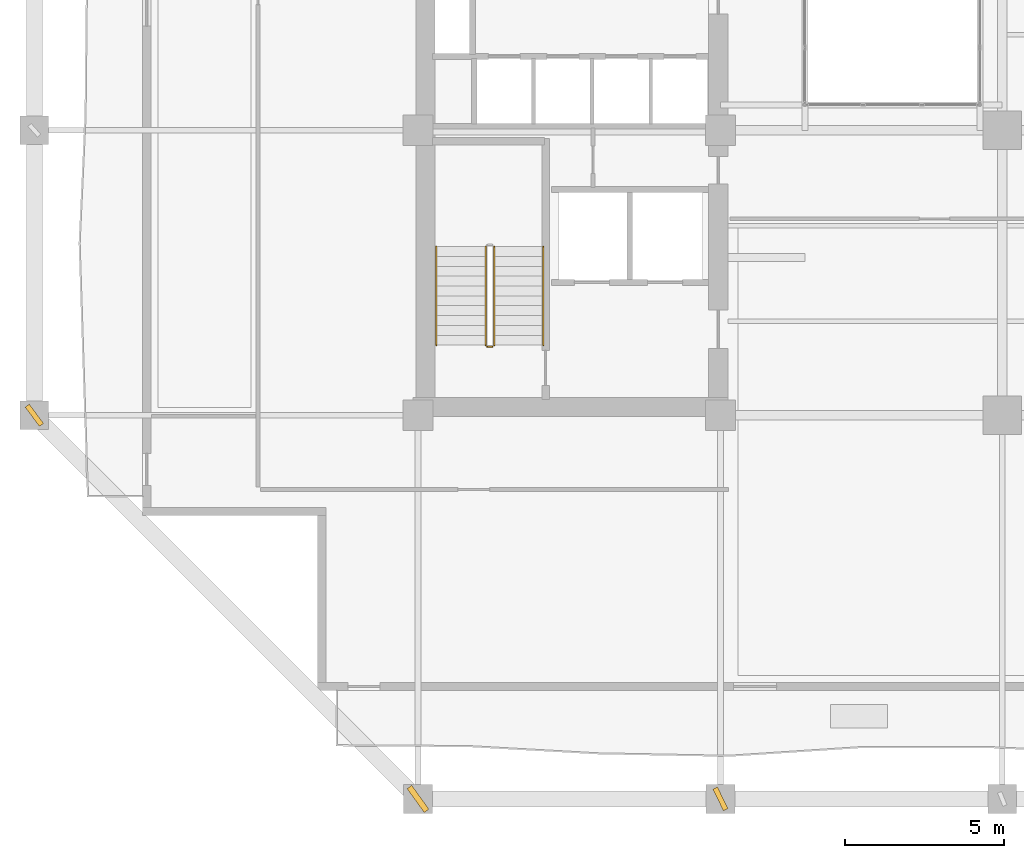
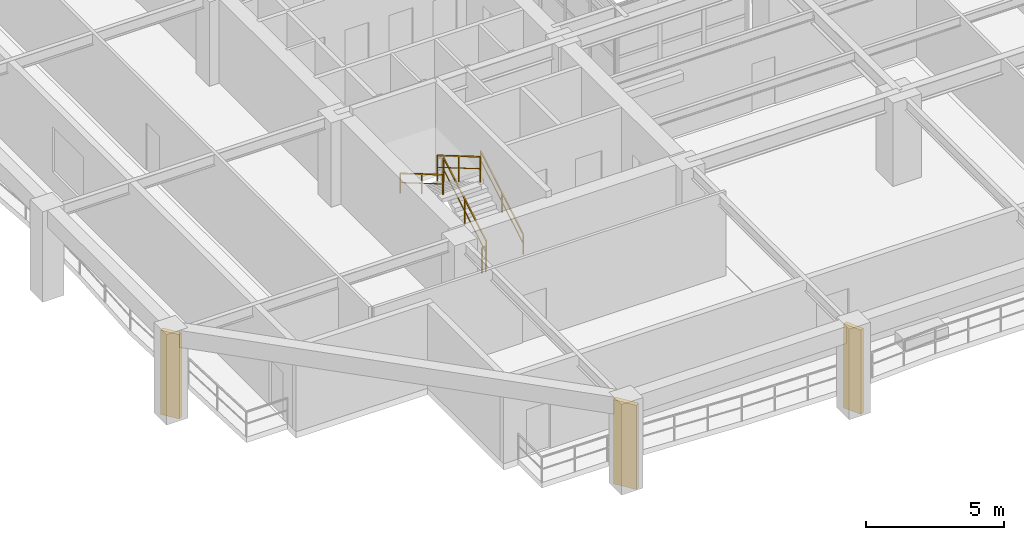
# One storey, part 10 of 17: 5 railings, 3 shading devices.
"""IFC4 building model written with IfcOpenShell, lengths in metres."""

from ifc_helpers import new_model, si_unit, direction, frame, origin, origin_2d, place, context, subcontext, project, spatial, rectangle, extrude, material, type_object, element, save


model = new_model("IFC4")

# Units and contexts
model_context = context("Model", 3, precision=1e-05, world=origin(), true_north=direction((0.0, 1.0)))
body_context = subcontext(model_context, "Body", "Model", "MODEL_VIEW")
ifc_project = project(units=[si_unit("LENGTHUNIT", "METRE"), si_unit("AREAUNIT", "SQUARE_METRE"), si_unit("VOLUMEUNIT", "CUBIC_METRE"), si_unit("PLANEANGLEUNIT", "RADIAN"), si_unit("MASSUNIT", "GRAM", prefix="KILO")], contexts=[model_context])

# Site, building, storey
site_placement = place(None, origin())
site = spatial("IfcSite", under=ifc_project, at=site_placement, CompositionType="ELEMENT")
building_placement = place(site_placement, origin())
building = spatial("IfcBuilding", under=site, at=building_placement, Name="Kundavana Baori Tower", CompositionType="ELEMENT")
storey_placement = place(building_placement, frame((0.0, 0.0, 26.0)))
storey = spatial("IfcBuildingStorey", under=building, at=storey_placement, Name="L05", CompositionType="ELEMENT", Elevation=26.0)

# Railings
ifc_material_1 = material(Name="Architectural Patinated Bronze Metalwork")
railing_type_1 = type_object("IfcRailingType", Name="RL-GRD-1150", PredefinedType="GUARDRAIL", material=ifc_material_1)
railing_1_placement = place(storey_placement, frame((17.840087890625, 17.449951171875, 0.181884765625)))
element("IfcRailing", 1, at=railing_1_placement, inside=storey, type_object=railing_type_1, Name="L05 ST1 stair guard 1", PredefinedType="GUARDRAIL", context=body_context, shape_type="SweptSolid", body=[
    extrude(rectangle(XDim=0.048095703125, YDim=0.048095703125, at=origin_2d()), frame((0.0, 0.0, 1.1259765625), z_axis=(0.0, 0.862598821094, 0.505888598258), x_axis=(-1.0, 0.0, 0.0)), (0.0, 0.0, 1.0), 3.593994140625),
    extrude(rectangle(XDim=0.03125, YDim=0.03125, at=origin_2d()), frame((0.0, 0.0, 0.597900390625), z_axis=(0.0, 0.862598821094, 0.505888598258), x_axis=(-1.0, 0.0, 0.0)), (0.0, 0.0, 1.0), 3.593994140625),
    extrude(rectangle(XDim=0.0419921875, YDim=0.0419921875, at=origin_2d()), origin(), (0.0, 0.0, 1.0), 1.101806640625),
    extrude(rectangle(XDim=0.0419921875, YDim=0.0419921875, at=origin_2d()), frame((0.0, 1.550048828125, 0.9091796875)), (0.0, 0.0, 1.0), 1.101806640625),
    extrude(rectangle(XDim=0.0419921875, YDim=0.0419921875, at=origin_2d()), frame((0.0, 3.10009765625, 1.818115234375)), (0.0, 0.0, 1.0), 1.101806640625),
])
railing_2_placement = place(storey_placement, frame((17.580078125, 20.550048828125, 2.181884765625)))
element("IfcRailing", 2, at=railing_2_placement, inside=storey, type_object=railing_type_1, Name="L05 ST1 stair guard 3", PredefinedType="GUARDRAIL", context=body_context, shape_type="SweptSolid", body=[
    extrude(rectangle(XDim=0.048095703125, YDim=0.048095703125, at=origin_2d()), frame((0.0, 0.0, 1.1259765625), z_axis=(0.0, -0.862598821094, 0.505888598258), x_axis=(1.0, 0.0, 0.0)), (0.0, 0.0, 1.0), 3.593994140625),
    extrude(rectangle(XDim=0.03125, YDim=0.03125, at=origin_2d()), frame((0.0, 0.0, 0.597900390625), z_axis=(0.0, -0.862598821094, 0.505888598258), x_axis=(1.0, 0.0, 0.0)), (0.0, 0.0, 1.0), 3.593994140625),
    extrude(rectangle(XDim=0.0419921875, YDim=0.0419921875, at=origin_2d()), origin(), (0.0, 0.0, 1.0), 1.101806640625),
    extrude(rectangle(XDim=0.0419921875, YDim=0.0419921875, at=origin_2d()), frame((0.0, -1.550048828125, 0.9091796875)), (0.0, 0.0, 1.0), 1.101806640625),
    extrude(rectangle(XDim=0.0419921875, YDim=0.0419921875, at=origin_2d()), frame((0.0, -3.10009765625, 1.818115234375)), (0.0, 0.0, 1.0), 1.101806640625),
])
railing_3_placement = place(storey_placement, frame((17.7900390625, 17.39990234375, 0.0)))
element("IfcRailing", 3, at=railing_3_placement, inside=storey, type_object=railing_type_1, Name="L05 ST1 stair guard 4", PredefinedType="GUARDRAIL", context=body_context, shape_type="SweptSolid", body=[
    extrude(rectangle(XDim=0.048095703125, YDim=0.048095703125, at=origin_2d()), frame((0.0, 0.0, 1.1259765625), z_axis=(-1.0, 0.0, 0.0), x_axis=(0.0, -1.0, 0.0)), (0.0, 0.0, 1.0), 0.16015625),
    extrude(rectangle(XDim=0.03125, YDim=0.03125, at=origin_2d()), frame((0.0, 0.0, 0.597900390625), z_axis=(-1.0, 0.0, 0.0), x_axis=(0.0, -1.0, 0.0)), (0.0, 0.0, 1.0), 0.16015625),
    extrude(rectangle(XDim=0.0419921875, YDim=0.0419921875, at=origin_2d()), origin(), (0.0, 0.0, 1.0), 1.101806640625),
    extrude(rectangle(XDim=0.0419921875, YDim=0.0419921875, at=origin_2d()), frame((-0.16015625, 0.0, 0.0)), (0.0, 0.0, 1.0), 1.101806640625),
])
ifc_material_2 = material(Name="Architectural Patinated Bronze Metalwork")
railing_type_2 = type_object("IfcRailingType", Name="RL-HND-920", PredefinedType="HANDRAIL", material=ifc_material_2)
railing_4_placement = place(storey_placement, frame((19.389892578125, 17.449951171875, 0.181884765625)))
element("IfcRailing", 4, at=railing_4_placement, inside=storey, type_object=railing_type_2, Name="L05 ST1 stair handrail 1", PredefinedType="HANDRAIL", context=body_context, shape_type="SweptSolid", body=[
    extrude(rectangle(XDim=0.048095703125, YDim=0.048095703125, at=origin_2d()), frame((0.0, 0.0, 0.8759765625), z_axis=(0.0, 0.862598821094, 0.505888598258), x_axis=(-1.0, 0.0, 0.0)), (0.0, 0.0, 1.0), 3.593994140625),
    extrude(rectangle(XDim=0.03125, YDim=0.03125, at=origin_2d()), frame((0.0, 0.0, 0.468017578125), z_axis=(0.0, 0.862598821094, 0.505888598258), x_axis=(-1.0, 0.0, 0.0)), (0.0, 0.0, 1.0), 3.593994140625),
    extrude(rectangle(XDim=0.0419921875, YDim=0.0419921875, at=origin_2d()), origin(), (0.0, 0.0, 1.0), 0.851806640625),
    extrude(rectangle(XDim=0.0419921875, YDim=0.0419921875, at=origin_2d()), frame((0.0, 1.550048828125, 0.9091796875)), (0.0, 0.0, 1.0), 0.851806640625),
    extrude(rectangle(XDim=0.0419921875, YDim=0.0419921875, at=origin_2d()), frame((0.0, 3.10009765625, 1.818115234375)), (0.0, 0.0, 1.0), 0.851806640625),
])
railing_5_placement = place(storey_placement, frame((16.030029296875, 20.550048828125, 2.181884765625)))
element("IfcRailing", 5, at=railing_5_placement, inside=storey, type_object=railing_type_2, Name="L05 ST1 stair handrail 2", PredefinedType="HANDRAIL", context=body_context, shape_type="SweptSolid", body=[
    extrude(rectangle(XDim=0.048095703125, YDim=0.048095703125, at=origin_2d()), frame((0.0, 0.0, 0.8759765625), z_axis=(0.0, -0.862598821094, 0.505888598258), x_axis=(1.0, 0.0, 0.0)), (0.0, 0.0, 1.0), 3.593994140625),
    extrude(rectangle(XDim=0.03125, YDim=0.03125, at=origin_2d()), frame((0.0, 0.0, 0.468017578125), z_axis=(0.0, -0.862598821094, 0.505888598258), x_axis=(1.0, 0.0, 0.0)), (0.0, 0.0, 1.0), 3.593994140625),
    extrude(rectangle(XDim=0.0419921875, YDim=0.0419921875, at=origin_2d()), origin(), (0.0, 0.0, 1.0), 0.851806640625),
    extrude(rectangle(XDim=0.0419921875, YDim=0.0419921875, at=origin_2d()), frame((0.0, -1.550048828125, 0.9091796875)), (0.0, 0.0, 1.0), 0.851806640625),
    extrude(rectangle(XDim=0.0419921875, YDim=0.0419921875, at=origin_2d()), frame((0.0, -3.10009765625, 1.818115234375)), (0.0, 0.0, 1.0), 0.851806640625),
])

# Shading devices
ifc_material_3 = material(Name="Red-Buff Dholpur Sandstone Cladding on Concrete C40/50", Category="masonry")
shading_device_type_1 = type_object("IfcShadingDeviceType", Name="SHD-FIN-750", PredefinedType="JALOUSIE", material=ifc_material_3)
for number, where, z_axis, x_axis, name in (
    (6, (24.949951171875, 3.199951171875, 0.0), (0.0, 0.0, 1.0), (0.896641036785, 0.442758231039, 0.0), "L05 Sweeping Dholpur Sandstone Facade Fin 2"),
    (7, (3.39990234375, 15.25, 0.0), (0.0, 0.0, 1.0), (0.803856860617, 0.594822786751, 0.0), "L05 Sweeping Dholpur Sandstone Facade Fin 5"),
):
    element("IfcShadingDevice", number, at=place(storey_placement, frame(where, z_axis=z_axis, x_axis=x_axis)), inside=storey, type_object=shading_device_type_1, Name=name, PredefinedType="JALOUSIE", context=body_context, shape_type="SweptSolid", body=[
        extrude(rectangle(XDim=0.159912109375, YDim=0.75, at=origin_2d()), origin(), (0.0, 0.0, 1.0), 3.719970703125),
    ])
ifc_material_4 = material(Name="Red-Buff Dholpur Sandstone Cladding on Concrete C40/50", Category="masonry")
shading_device_type_2 = type_object("IfcShadingDeviceType", Name="SHD-FIN-920", PredefinedType="JALOUSIE", material=ifc_material_4)
shading_device_placement = place(storey_placement, frame((15.449951171875, 3.199951171875, 0.0), z_axis=(0.0, 0.0, 1.0), x_axis=(0.810859580832, 0.585240754026, 0.0)))
element("IfcShadingDevice", 8, at=shading_device_placement, inside=storey, type_object=shading_device_type_2, Name="L05 Sweeping Dholpur Sandstone Facade Fin 1", PredefinedType="JALOUSIE", context=body_context, shape_type="SweptSolid", body=[
    extrude(rectangle(XDim=0.179931640625, YDim=0.919921875, at=origin_2d()), origin(), (0.0, 0.0, 1.0), 3.719970703125),
])

save(model, "model.ifc")
